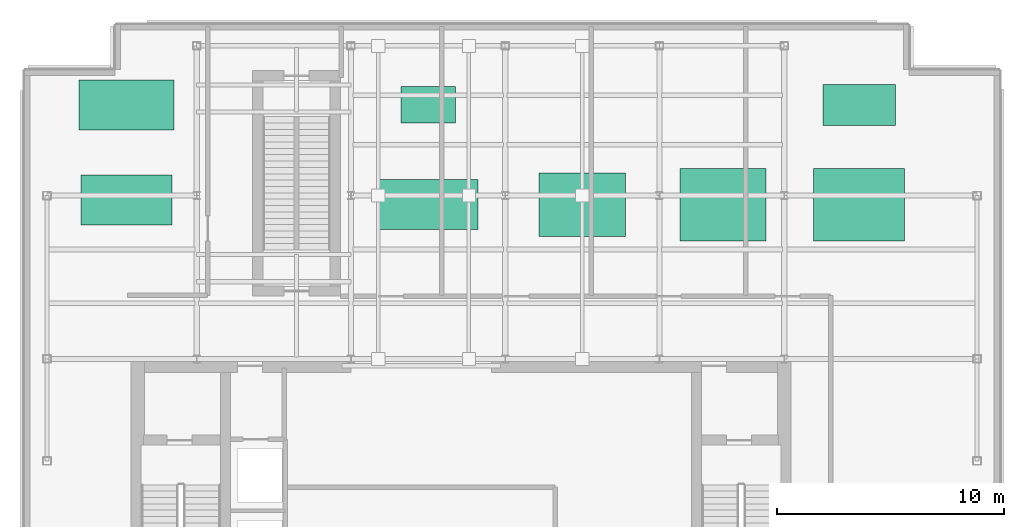
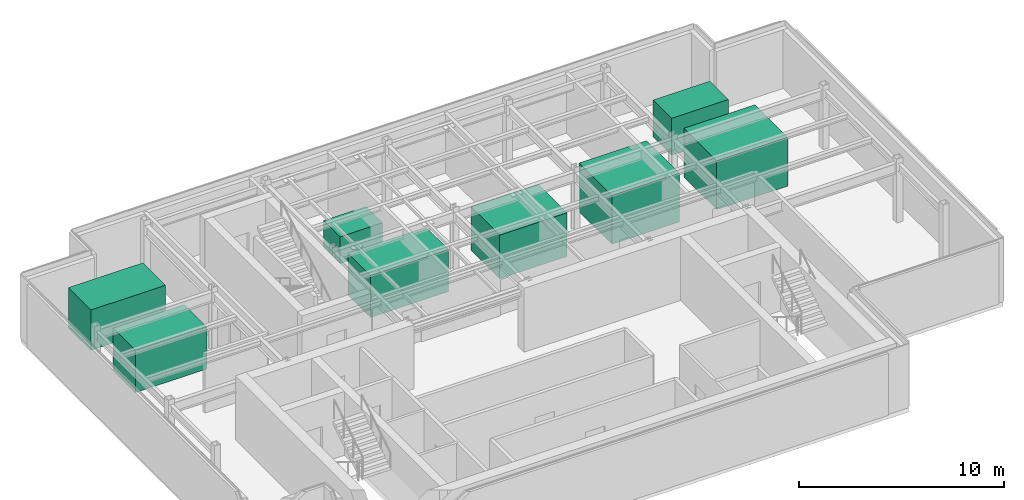
# One storey, part 7 of 7: 2 chillers, 2 cooling towers, 1 boiler, 1 pump, 1 tank, 1 unitary equipment element.
"""IFC4 building model written with IfcOpenShell, lengths in metres."""

import ifcopenshell
import ifcopenshell.guid

model = None  # the IFC model being written
_history = None  # IfcOwnerHistory: only IFC2X3 demands one
_inside = {}  # id of a spatial element -> (the spatial element, [elements in it])
_under = {}  # id of a project, library or spatial element -> (it, [spatial elements below it])
_declared = {}  # id of a project -> (the project, [libraries it declares])
_typed = {}  # id of a type object -> (the type object, [elements of that type])
_made_of = {}  # id of a material, layer set ... -> (it, [elements and type objects made of it])


def new_model(schema):
    """Start an empty IFC model of exactly this schema.

    Asked for "IFC4X3", IfcOpenShell would pick the latest addendum, in which some entities
    have other attributes; the version numbers below select the first issue.
    IFC2X3 requires an IfcOwnerHistory on every rooted entity: one is made here for all.
    """
    global model, _history
    if schema == "IFC4X3":
        model = ifcopenshell.file(schema_version=(4, 3, 0, 0))
    else:
        model = ifcopenshell.file(schema=schema)
    _inside.clear()
    _under.clear()
    _declared.clear()
    _typed.clear()
    _made_of.clear()
    _history = None
    if model.schema == "IFC2X3":
        org = make("IfcOrganization", Name="unknown")
        user = make(
            "IfcPersonAndOrganization",
            ThePerson=make("IfcPerson", FamilyName="unknown"),
            TheOrganization=org,
        )
        app = make(
            "IfcApplication",
            ApplicationDeveloper=org,
            Version="unknown",
            ApplicationFullName="unknown",
            ApplicationIdentifier="unknown",
        )
        _history = make(
            "IfcOwnerHistory",
            OwningUser=user,
            OwningApplication=app,
            ChangeAction="ADDED",
            CreationDate=0,
        )
    return model


def make(cls, **values):
    """One entity of the class cls with the attributes given. An attribute that is None is left unset."""
    return model.create_entity(
        cls, **{name: value for name, value in values.items() if value is not None}
    )


def rooted(cls, **values):
    """An entity with a GlobalId (a new one), such as an element, a storey or a relation."""
    return make(cls, GlobalId=ifcopenshell.guid.new(), OwnerHistory=_history, **values)


def si_unit(unit_type, name, prefix=None):
    """IfcSIUnit, for example si_unit("LENGTHUNIT", "METRE", prefix="MILLI")."""
    return make("IfcSIUnit", UnitType=unit_type, Prefix=prefix, Name=name)


def derived_unit(unit_type, elements):
    """IfcDerivedUnit: a product of units, each with its exponent."""
    return make(
        "IfcDerivedUnit",
        Elements=[
            make("IfcDerivedUnitElement", Unit=unit, Exponent=power)
            for unit, power in elements
        ],
        UnitType=unit_type,
    )


def assignment(units):
    """IfcUnitAssignment: the units of a project."""
    return None if units is None else make("IfcUnitAssignment", Units=units)


def point(xyz):
    """IfcCartesianPoint."""
    return None if xyz is None else make("IfcCartesianPoint", Coordinates=xyz)


def direction(xyz):
    """IfcDirection."""
    return None if xyz is None else make("IfcDirection", DirectionRatios=xyz)


def frame(location, z_axis=None, x_axis=None):
    """IfcAxis2Placement3D, a coordinate frame: its origin and axes. An axis left out is left unset."""
    return make(
        "IfcAxis2Placement3D",
        Location=point(location),
        Axis=direction(z_axis),
        RefDirection=direction(x_axis),
    )


def frame_2d(location, x_axis=None):
    """IfcAxis2Placement2D, a coordinate frame in the plane: its origin and x axis."""
    return make(
        "IfcAxis2Placement2D", Location=point(location), RefDirection=direction(x_axis)
    )


def origin():
    """The frame at (0, 0, 0) with its axes left unset."""
    return frame((0.0, 0.0, 0.0))


def origin_2d():
    """The frame at (0, 0) in the plane with its x axis left unset."""
    return frame_2d((0.0, 0.0))


def place(relative_to, where):
    """IfcLocalPlacement: puts the frame where relative to a parent placement (None: the world)."""
    return make(
        "IfcLocalPlacement", PlacementRelTo=relative_to, RelativePlacement=where
    )


def context(
    kind, dimensions, precision=None, world=None, true_north=None, identifier=None
):
    """IfcGeometricRepresentationContext, for example the 3D "Model" context."""
    return make(
        "IfcGeometricRepresentationContext",
        ContextIdentifier=identifier,
        ContextType=kind,
        CoordinateSpaceDimension=dimensions,
        Precision=precision,
        WorldCoordinateSystem=world,
        TrueNorth=true_north,
    )


def subcontext(parent, identifier, kind, view, scale=None):
    """IfcGeometricRepresentationSubContext, for example "Body" below "Model"."""
    return make(
        "IfcGeometricRepresentationSubContext",
        ContextIdentifier=identifier,
        ContextType=kind,
        ParentContext=parent,
        TargetScale=scale,
        TargetView=view,
    )


def project(units=None, contexts=None):
    """IfcProject with its units and contexts."""
    return rooted(
        "IfcProject",
        Name="project",
        RepresentationContexts=contexts,
        UnitsInContext=assignment(units),
    )


def spatial(cls, under=None, at=None, **own):
    """A site, building, storey or space (cls), placed at a placement, below another one or the project."""
    s = rooted(cls, ObjectPlacement=at, **own)
    if under is not None:
        _under.setdefault(under.id(), (under, []))[1].append(s)
    return s


def profile(cls, at=None, kind="AREA", **sizes):
    """A parametric profile (cls). Its sizes go by their IFC names, for example OverallWidth=200.0."""
    return make(cls, ProfileType=kind, Position=at, **sizes)


def rectangle(**sizes):
    """IfcRectangleProfileDef."""
    return profile("IfcRectangleProfileDef", **sizes)


def extrude(swept, where, along, depth):
    """IfcExtrudedAreaSolid: the profile swept, set in the frame where, extruded along a direction by depth."""
    return make(
        "IfcExtrudedAreaSolid",
        SweptArea=swept,
        Position=where,
        ExtrudedDirection=direction(along),
        Depth=depth,
    )


def shape(context_of_items, identifier, shape_type, items):
    """IfcShapeRepresentation: the items that make up one representation, for example the "Body"."""
    return make(
        "IfcShapeRepresentation",
        ContextOfItems=context_of_items,
        RepresentationIdentifier=identifier,
        RepresentationType=shape_type,
        Items=items,
    )


def source(mapping_origin, context_of_items, identifier, shape_type, items):
    """IfcRepresentationMap: a shape defined once, which mapped items show again and again."""
    return make(
        "IfcRepresentationMap",
        MappingOrigin=mapping_origin,
        MappedRepresentation=shape(context_of_items, identifier, shape_type, items),
    )


def transform(
    local_origin,
    x_axis=None,
    y_axis=None,
    z_axis=None,
    scale=None,
    scale2=None,
    scale3=None,
    uniform=True,
):
    """IfcCartesianTransformationOperator3D, or its non-uniform kind. x_axis, y_axis, z_axis: its Axis1, 2, 3."""
    if uniform:
        return make(
            "IfcCartesianTransformationOperator3D",
            Axis1=direction(x_axis),
            Axis2=direction(y_axis),
            LocalOrigin=point(local_origin),
            Scale=scale,
            Axis3=direction(z_axis),
        )
    return make(
        "IfcCartesianTransformationOperator3DnonUniform",
        Axis1=direction(x_axis),
        Axis2=direction(y_axis),
        LocalOrigin=point(local_origin),
        Scale=scale,
        Axis3=direction(z_axis),
        Scale2=scale2,
        Scale3=scale3,
    )


def mapped(mapping_source, mapping_target):
    """IfcMappedItem: shows the shape of a source again, moved by a transform."""
    return make(
        "IfcMappedItem", MappingSource=mapping_source, MappingTarget=mapping_target
    )


def material(Name=None, Category=None):
    """IfcMaterial."""
    return make("IfcMaterial", Name=Name, Category=Category)


def made_of(thing, what):
    """Note that an element or type object is made of a material, layer set ...; save() writes the relation."""
    if what is not None:
        _made_of.setdefault(what.id(), (what, []))[1].append(thing)
    return thing


def type_object(cls, material=None, **own):
    """A type object (cls), such as IfcWallType, which elements share."""
    return made_of(rooted(cls, **own), material)


def element(
    cls,
    number,
    at=None,
    inside=None,
    cuts=None,
    type_object=None,
    material=None,
    context=None,
    identifier="Body",
    shape_type=None,
    held_by="IfcProductDefinitionShape",
    body=None,
    shapes=None,
    **own,
):
    """One element of the class cls, such as IfcWall. Its Tag is "e" and its number.

    at: its placement. inside: the storey or other place that contains it. cuts: it is an
    opening in that element (IfcRelVoidsElement). A single representation is given by context,
    identifier, shape_type and body (its items); several are given by shapes. held_by: the class
    of the entity that holds the representations. save() writes the other relations.
    """
    e = rooted(cls, Tag="e%d" % number, ObjectPlacement=at, **own)
    if body is not None:
        shapes = [shape(context, identifier, shape_type, body)]
    if shapes is not None:
        e.Representation = make(held_by, Representations=shapes)
    if inside is not None:
        _inside.setdefault(inside.id(), (inside, []))[1].append(e)
    if cuts is not None:
        rooted(
            "IfcRelVoidsElement", RelatingBuildingElement=cuts, RelatedOpeningElement=e
        )
    if type_object is not None:
        _typed.setdefault(type_object.id(), (type_object, []))[1].append(e)
    return made_of(e, material)


def aggregate(whole, parts):
    """IfcRelAggregates: a whole, such as a stair, and the parts it consists of."""
    return rooted("IfcRelAggregates", RelatingObject=whole, RelatedObjects=parts)


def save(model, path):
    """Write the relations noted so far, then the file.

    IfcRelAggregates (storeys below a building ...), IfcRelContainedInSpatialStructure (elements
    in a storey), IfcRelDefinesByType, IfcRelAssociatesMaterial and IfcRelDeclares: one each for
    every whole, place, type object, material and project.
    """
    for whole, parts in _under.values():
        aggregate(whole, parts)
    for where, things in _inside.values():
        rooted(
            "IfcRelContainedInSpatialStructure",
            RelatedElements=things,
            RelatingStructure=where,
        )
    for kind, things in _typed.values():
        rooted("IfcRelDefinesByType", RelatedObjects=things, RelatingType=kind)
    for what, things in _made_of.values():
        rooted("IfcRelAssociatesMaterial", RelatedObjects=things, RelatingMaterial=what)
    for by, libraries in _declared.values():
        rooted("IfcRelDeclares", RelatingContext=by, RelatedDefinitions=libraries)
    model.write(path)


model = new_model("IFC4")

# Units and contexts
model_context = context("Model", 3, precision=1e-05, world=origin(), true_north=direction((0.0, 1.0)))
body_context = subcontext(model_context, "Body", "Model", "MODEL_VIEW")
ifc_project = project(units=[si_unit("LENGTHUNIT", "METRE"), si_unit("AREAUNIT", "SQUARE_METRE"), si_unit("VOLUMEUNIT", "CUBIC_METRE"), si_unit("PLANEANGLEUNIT", "RADIAN"), si_unit("MASSUNIT", "GRAM", prefix="KILO"), derived_unit("THERMALTRANSMITTANCEUNIT", [(si_unit("POWERUNIT", "WATT"), 1), (si_unit("LENGTHUNIT", "METRE"), -2), (si_unit("THERMODYNAMICTEMPERATUREUNIT", "KELVIN"), -1)])], contexts=[model_context])

# Site, building, storey
site_placement = place(None, origin())
site = spatial("IfcSite", under=ifc_project, at=site_placement, CompositionType="ELEMENT")
building_placement = place(site_placement, origin())
building = spatial("IfcBuilding", under=site, at=building_placement, Name="Skarnbrae Concourse Arena and Tower", CompositionType="ELEMENT")
storey_placement = place(building_placement, frame((0.0, 0.0, 307.449951171875)))
storey = spatial("IfcBuildingStorey", under=building, at=storey_placement, Name="L80", CompositionType="ELEMENT", Elevation=307.449951171875)

# Chiller
ifc_material = material(Name="Painted steel mechanical equipment skid", Category="steel")
chiller_type = type_object("IfcChillerType", Name="EQP-CHILLER-CENT", PredefinedType="NOTDEFINED", material=ifc_material)
shared_shape_1 = source(origin(), body_context, "Body", "SweptSolid", [
    extrude(rectangle(XDim=4.0, YDim=2.199951171875, at=origin_2d()), origin(), (0.0, 0.0, 1.0), 2.5),
])
chiller_1_placement = place(storey_placement, frame((4.5, 21.0, 0.0), z_axis=(0.0, 0.0, 1.0), x_axis=(1.0, 0.0, 0.0)))
element("IfcChiller", 1, at=chiller_1_placement, inside=storey, type_object=chiller_type, Name="L80 Crown mechanical plant unit CH1", PredefinedType="NOTDEFINED", context=body_context, shape_type="MappedRepresentation", body=[
    mapped(shared_shape_1, transform((0.0, 0.0, 0.0))),
])

# Cooling towers
cooling_tower_type = type_object("IfcCoolingTowerType", Name="EQP-CTOWER-CELL", PredefinedType="NOTDEFINED", material=ifc_material)
shared_shape_2 = source(origin(), body_context, "Body", "SweptSolid", [
    extrude(rectangle(XDim=3.800048828125, YDim=3.199951171875, at=origin_2d()), origin(), (0.0, 0.0, 1.0), 2.89990234375),
])
cooling_tower_1_placement = place(storey_placement, frame((30.800048828125, 20.800048828125, 0.0), z_axis=(0.0, 0.0, 1.0), x_axis=(1.0, 0.0, 0.0)))
element("IfcCoolingTower", 2, at=cooling_tower_1_placement, inside=storey, type_object=cooling_tower_type, Name="L80 Crown mechanical plant unit CT1", PredefinedType="NOTDEFINED", context=body_context, shape_type="MappedRepresentation", body=[
    mapped(shared_shape_2, transform((0.0, 0.0, 0.0))),
])
shared_shape_3 = source(origin(), body_context, "Body", "SweptSolid", [
    extrude(rectangle(XDim=4.0, YDim=3.199951171875, at=origin_2d()), origin(), (0.0, 0.0, 1.0), 2.89990234375),
])
cooling_tower_2_placement = place(storey_placement, frame((36.800048828125, 20.800048828125, 0.0), z_axis=(0.0, 0.0, 1.0), x_axis=(1.0, 0.0, 0.0)))
element("IfcCoolingTower", 3, at=cooling_tower_2_placement, inside=storey, type_object=cooling_tower_type, Name="L80 Crown mechanical plant unit CT2", PredefinedType="NOTDEFINED", context=body_context, shape_type="MappedRepresentation", body=[
    mapped(shared_shape_3, transform((0.0, 0.0, 0.0))),
])

# Unitary equipment
unitary_equipment_type = type_object("IfcUnitaryEquipmentType", Name="EQP-AHU-CUSTOM", PredefinedType="NOTDEFINED", material=ifc_material)
shared_shape_4 = source(origin(), body_context, "Body", "SweptSolid", [
    extrude(rectangle(XDim=4.199951171875, YDim=2.199951171875, at=origin_2d()), origin(), (0.0, 0.0, 1.0), 2.39990234375),
])
unitary_equipment_placement = place(storey_placement, frame((4.5, 25.199951171875, 0.0), z_axis=(0.0, 0.0, 1.0), x_axis=(1.0, 0.0, 0.0)))
element("IfcUnitaryEquipment", 4, at=unitary_equipment_placement, inside=storey, type_object=unitary_equipment_type, Name="L80 Crown mechanical plant unit AH1", PredefinedType="NOTDEFINED", context=body_context, shape_type="MappedRepresentation", body=[
    mapped(shared_shape_4, transform((0.0, 0.0, 0.0))),
])

# Boiler
boiler_type = type_object("IfcBoilerType", Name="EQP-BOILER-COND", PredefinedType="NOTDEFINED", material=ifc_material)
shared_shape_5 = source(origin(), body_context, "Body", "SweptSolid", [
    extrude(rectangle(XDim=3.199951171875, YDim=1.800048828125, at=origin_2d()), origin(), (0.0, 0.0, 1.0), 2.199951171875),
])
boiler_placement = place(storey_placement, frame((36.800048828125, 25.199951171875, 0.0), z_axis=(0.0, 0.0, 1.0), x_axis=(1.0, 0.0, 0.0)))
element("IfcBoiler", 5, at=boiler_placement, inside=storey, type_object=boiler_type, Name="L80 Crown mechanical plant unit BL1", PredefinedType="NOTDEFINED", context=body_context, shape_type="MappedRepresentation", body=[
    mapped(shared_shape_5, transform((0.0, 0.0, 0.0))),
])

# Chiller
shared_shape_6 = source(origin(), body_context, "Body", "SweptSolid", [
    extrude(rectangle(XDim=4.39990234375, YDim=2.199951171875, at=origin_2d()), origin(), (0.0, 0.0, 1.0), 2.5),
])
chiller_2_placement = place(storey_placement, frame((17.800048828125, 20.800048828125, 0.0), z_axis=(0.0, 0.0, 1.0), x_axis=(1.0, 0.0, 0.0)))
element("IfcChiller", 6, at=chiller_2_placement, inside=storey, type_object=chiller_type, Name="L80 Crown mechanical plant unit CH2", PredefinedType="NOTDEFINED", context=body_context, shape_type="MappedRepresentation", body=[
    mapped(shared_shape_6, transform((0.0, 0.0, 0.0))),
])

# Tank
tank_type = type_object("IfcTankType", Name="EQP-WTANK-DOM", PredefinedType="NOTDEFINED", material=ifc_material)
shared_shape_7 = source(origin(), body_context, "Body", "SweptSolid", [
    extrude(rectangle(XDim=3.800048828125, YDim=2.800048828125, at=origin_2d()), origin(), (0.0, 0.0, 1.0), 2.60009765625),
])
tank_placement = place(storey_placement, frame((24.60009765625, 20.800048828125, 0.0), z_axis=(0.0, 0.0, 1.0), x_axis=(1.0, 0.0, 0.0)))
element("IfcTank", 7, at=tank_placement, inside=storey, type_object=tank_type, Name="L80 Crown mechanical plant unit TK1", PredefinedType="NOTDEFINED", context=body_context, shape_type="MappedRepresentation", body=[
    mapped(shared_shape_7, transform((0.0, 0.0, 0.0))),
])

# Pump
pump_type = type_object("IfcPumpType", Name="EQP-PUMP-SKID", PredefinedType="NOTDEFINED", material=ifc_material)
shared_shape_8 = source(origin(), body_context, "Body", "SweptSolid", [
    extrude(rectangle(XDim=2.39990234375, YDim=1.60009765625, at=origin_2d()), origin(), (0.0, 0.0, 1.0), 1.60009765625),
])
pump_placement = place(storey_placement, frame((17.800048828125, 25.199951171875, 0.0), z_axis=(0.0, 0.0, 1.0), x_axis=(1.0, 0.0, 0.0)))
element("IfcPump", 8, at=pump_placement, inside=storey, type_object=pump_type, Name="L80 Crown mechanical plant unit PM1", PredefinedType="NOTDEFINED", context=body_context, shape_type="MappedRepresentation", body=[
    mapped(shared_shape_8, transform((0.0, 0.0, 0.0))),
])

save(model, "model.ifc")
